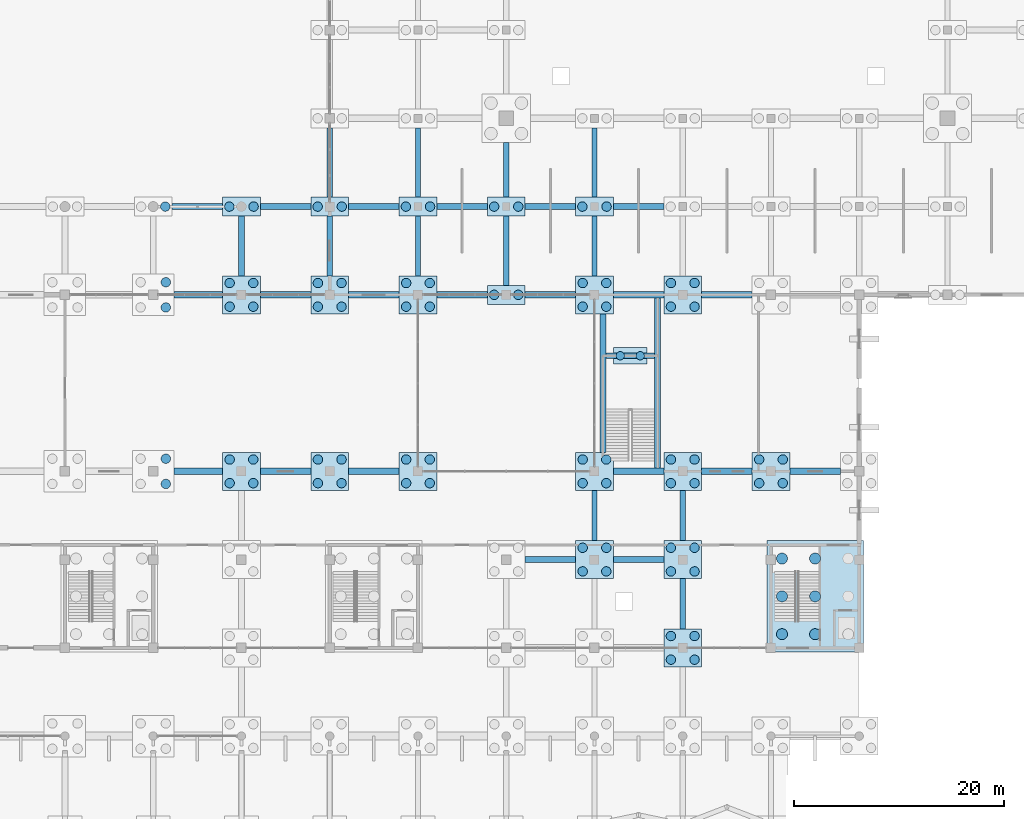
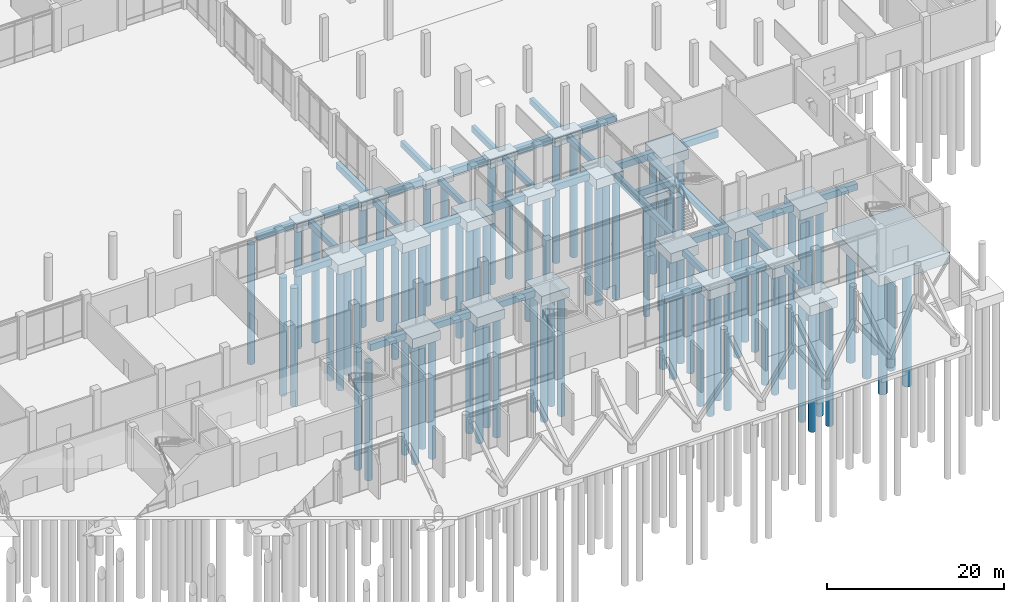
# One storey, part 8 of 72: 81 piles, 58 footings.
"""IFC4 building model written with IfcOpenShell, lengths in metres."""

from ifc_helpers import new_model, si_unit, direction, frame, origin, origin_2d, place, context, subcontext, project, spatial, rectangle, circle, extrude, material, layer, layer_set, material_profile, profile_set, type_object, element, save


model = new_model("IFC4")

# Units and contexts
model_context = context("Model", 3, precision=1e-05, world=origin(), true_north=direction((0.0, 1.0)))
body_context = subcontext(model_context, "Body", "Model", "MODEL_VIEW")
ifc_project = project(units=[si_unit("LENGTHUNIT", "METRE"), si_unit("AREAUNIT", "SQUARE_METRE"), si_unit("VOLUMEUNIT", "CUBIC_METRE"), si_unit("PLANEANGLEUNIT", "RADIAN"), si_unit("MASSUNIT", "GRAM", prefix="KILO")], contexts=[model_context])

# Site, building, storey
site_placement = place(None, origin())
site = spatial("IfcSite", under=ifc_project, at=site_placement, CompositionType="ELEMENT")
building_placement = place(site_placement, origin())
building = spatial("IfcBuilding", under=site, at=building_placement, Name="Qawsi Khor Wholesale Market", CompositionType="ELEMENT")
storey_placement = place(building_placement, origin())
storey = spatial("IfcBuildingStorey", under=building, at=storey_placement, Name="L00", CompositionType="ELEMENT", Elevation=0.0)

# Piles
ifc_material = material(Name="Concrete C45/55", Category="concrete")
ifc_material_profile_1 = material_profile(ifc_material, circle(Radius=0.52490234375, at=origin_2d()), Name="PILE D1050")
ifc_profile_set_1 = profile_set([ifc_material_profile_1], Name="Concrete C45/55")
pile_type_1 = type_object("IfcPileType", Name="Bored Pile D1050 C45/55", PredefinedType="BORED", material=ifc_profile_set_1)
for number, where, z_axis, x_axis, name in (
    (1, (185.85009765625, 9.699951171875, -1.800048828125), (0.0, 0.0, -1.0), (1.0, 0.0, 0.0), "Core bored pile C06-01"),
    (2, (185.85009765625, 13.300048828125, -1.800048828125), (0.0, 0.0, -1.0), (1.0, 0.0, 0.0), "Core bored pile C06-02"),
    (3, (185.85009765625, 16.89990234375, -1.800048828125), (0.0, 0.0, -1.0), (1.0, 0.0, 0.0), "Core bored pile C06-03"),
    (4, (189.0, 9.699951171875, -1.800048828125), (0.0, 0.0, -1.0), (1.0, 0.0, 0.0), "Core bored pile C06-04"),
    (5, (189.0, 13.300048828125, -1.800048828125), (0.0, 0.0, -1.0), (1.0, 0.0, 0.0), "Core bored pile C06-05"),
    (6, (189.0, 16.89990234375, -1.800048828125), (0.0, 0.0, -1.0), (1.0, 0.0, 0.0), "Core bored pile C06-06"),
):
    element("IfcPile", number, at=place(storey_placement, frame(where, z_axis=z_axis, x_axis=x_axis)), inside=storey, type_object=pile_type_1, Name=name, PredefinedType="BORED", context=body_context, shape_type="SweptSolid", body=[
        extrude(circle(Radius=0.52490234375, at=origin_2d()), origin(), (0.0, 0.0, 1.0), 16.199951171875),
    ])
ifc_material_profile_2 = material_profile(ifc_material, circle(Radius=0.39990234375, at=origin_2d()), Name="PILE D800")
ifc_profile_set_2 = profile_set([ifc_material_profile_2], Name="Concrete C45/55")
pile_type_2 = type_object("IfcPileType", Name="Bored Pile D800 C45/55", PredefinedType="BORED", material=ifc_profile_set_2)
for number, where, z_axis, x_axis, name in (
    (7, (170.449951171875, 36.199951171875, -2.18505859375), (0.0, 0.0, -1.0), (1.0, 0.0, 0.0), "Atrium stair bored pile E-1"),
    (8, (172.35009765625, 36.199951171875, -2.18505859375), (0.0, 0.0, -1.0), (1.0, 0.0, 0.0), "Atrium stair bored pile E-2"),
):
    element("IfcPile", number, at=place(storey_placement, frame(where, z_axis=z_axis, x_axis=x_axis)), inside=storey, type_object=pile_type_2, Name=name, PredefinedType="BORED", context=body_context, shape_type="SweptSolid", body=[
        extrude(circle(Radius=0.39990234375, at=origin_2d()), origin(), (0.0, 0.0, 1.0), 15.81494140625),
    ])
ifc_material_profile_3 = material_profile(ifc_material, circle(Radius=0.449951171875, at=origin_2d()), Name="PILE D900")
ifc_profile_set_3 = profile_set([ifc_material_profile_3], Name="Concrete C45/55")
pile_type_3 = type_object("IfcPileType", Name="Bored Pile D900 C45/55", PredefinedType="BORED", material=ifc_profile_set_3)
for number, where, z_axis, x_axis, name in (
    (9, (127.199951171875, 24.0, -1.72998046875), (0.0, 0.0, -1.0), (1.0, 0.0, 0.0), "Bored pile 15_+03-2"),
    (10, (127.199951171875, 26.39990234375, -1.72998046875), (0.0, 0.0, -1.0), (1.0, 0.0, 0.0), "Bored pile 15_+03-4"),
    (11, (127.199951171875, 40.800048828125, -1.72998046875), (0.0, 0.0, -1.0), (1.0, 0.0, 0.0), "Bored pile 15_+05-2"),
    (12, (127.199951171875, 43.199951171875, -1.72998046875), (0.0, 0.0, -1.0), (1.0, 0.0, 0.0), "Bored pile 15_+05-4"),
):
    element("IfcPile", number, at=place(storey_placement, frame(where, z_axis=z_axis, x_axis=x_axis)), inside=storey, type_object=pile_type_3, Name=name, PredefinedType="BORED", context=body_context, shape_type="SweptSolid", body=[
        extrude(circle(Radius=0.449951171875, at=origin_2d()), origin(), (0.0, 0.0, 1.0), 16.27001953125),
    ])
pile_placement = place(storey_placement, frame((127.14990234375, 50.39990234375, -1.5), z_axis=(0.0, 0.0, -1.0), x_axis=(1.0, 0.0, 0.0)))
element("IfcPile", 13, at=pile_placement, inside=storey, type_object=pile_type_3, Name="Bored pile 15_+06-2", PredefinedType="BORED", context=body_context, shape_type="SweptSolid", body=[
    extrude(circle(Radius=0.449951171875, at=origin_2d()), origin(), (0.0, 0.0, 1.0), 16.5),
])
for number, where, z_axis, x_axis, name in (
    (14, (133.27490234375, 24.074951171875, -1.610107421875), (0.0, 0.0, -1.0), (1.0, 0.0, 0.0), "Bored pile 16_+03-1"),
    (15, (135.52490234375, 24.074951171875, -1.610107421875), (0.0, 0.0, -1.0), (1.0, 0.0, 0.0), "Bored pile 16_+03-2"),
    (16, (133.27490234375, 26.324951171875, -1.610107421875), (0.0, 0.0, -1.0), (1.0, 0.0, 0.0), "Bored pile 16_+03-3"),
    (17, (135.52490234375, 26.324951171875, -1.610107421875), (0.0, 0.0, -1.0), (1.0, 0.0, 0.0), "Bored pile 16_+03-4"),
    (18, (133.27490234375, 40.875, -1.610107421875), (0.0, 0.0, -1.0), (1.0, 0.0, 0.0), "Bored pile 16_+05-1"),
    (19, (135.52490234375, 40.875, -1.610107421875), (0.0, 0.0, -1.0), (1.0, 0.0, 0.0), "Bored pile 16_+05-2"),
    (20, (133.27490234375, 43.125, -1.610107421875), (0.0, 0.0, -1.0), (1.0, 0.0, 0.0), "Bored pile 16_+05-3"),
    (21, (135.52490234375, 43.125, -1.610107421875), (0.0, 0.0, -1.0), (1.0, 0.0, 0.0), "Bored pile 16_+05-4"),
):
    element("IfcPile", number, at=place(storey_placement, frame(where, z_axis=z_axis, x_axis=x_axis)), inside=storey, type_object=pile_type_3, Name=name, PredefinedType="BORED", context=body_context, shape_type="SweptSolid", body=[
        extrude(circle(Radius=0.449951171875, at=origin_2d()), origin(), (0.0, 0.0, 1.0), 16.389892578125),
    ])
for number, where, z_axis, x_axis, name in (
    (22, (133.25, 50.39990234375, -1.5), (0.0, 0.0, -1.0), (1.0, 0.0, 0.0), "Bored pile 16_+06-1"),
    (23, (135.550048828125, 50.39990234375, -1.5), (0.0, 0.0, -1.0), (1.0, 0.0, 0.0), "Bored pile 16_+06-2"),
):
    element("IfcPile", number, at=place(storey_placement, frame(where, z_axis=z_axis, x_axis=x_axis)), inside=storey, type_object=pile_type_3, Name=name, PredefinedType="BORED", context=body_context, shape_type="SweptSolid", body=[
        extrude(circle(Radius=0.449951171875, at=origin_2d()), origin(), (0.0, 0.0, 1.0), 16.5),
    ])
for number, where, z_axis, x_axis, name in (
    (24, (141.675048828125, 24.074951171875, -1.610107421875), (0.0, 0.0, -1.0), (1.0, 0.0, 0.0), "Bored pile 17_+03-1"),
    (25, (143.925048828125, 24.074951171875, -1.610107421875), (0.0, 0.0, -1.0), (1.0, 0.0, 0.0), "Bored pile 17_+03-2"),
    (26, (141.675048828125, 26.324951171875, -1.610107421875), (0.0, 0.0, -1.0), (1.0, 0.0, 0.0), "Bored pile 17_+03-3"),
    (27, (143.925048828125, 26.324951171875, -1.610107421875), (0.0, 0.0, -1.0), (1.0, 0.0, 0.0), "Bored pile 17_+03-4"),
    (28, (141.675048828125, 40.875, -1.610107421875), (0.0, 0.0, -1.0), (1.0, 0.0, 0.0), "Bored pile 17_+05-1"),
    (29, (143.925048828125, 40.875, -1.610107421875), (0.0, 0.0, -1.0), (1.0, 0.0, 0.0), "Bored pile 17_+05-2"),
    (30, (141.675048828125, 43.125, -1.610107421875), (0.0, 0.0, -1.0), (1.0, 0.0, 0.0), "Bored pile 17_+05-3"),
    (31, (143.925048828125, 43.125, -1.610107421875), (0.0, 0.0, -1.0), (1.0, 0.0, 0.0), "Bored pile 17_+05-4"),
):
    element("IfcPile", number, at=place(storey_placement, frame(where, z_axis=z_axis, x_axis=x_axis)), inside=storey, type_object=pile_type_3, Name=name, PredefinedType="BORED", context=body_context, shape_type="SweptSolid", body=[
        extrude(circle(Radius=0.449951171875, at=origin_2d()), origin(), (0.0, 0.0, 1.0), 16.389892578125),
    ])
for number, where, z_axis, x_axis, name in (
    (32, (141.64990234375, 50.39990234375, -1.5), (0.0, 0.0, -1.0), (1.0, 0.0, 0.0), "Bored pile 17_+06-1"),
    (33, (143.949951171875, 50.39990234375, -1.5), (0.0, 0.0, -1.0), (1.0, 0.0, 0.0), "Bored pile 17_+06-2"),
):
    element("IfcPile", number, at=place(storey_placement, frame(where, z_axis=z_axis, x_axis=x_axis)), inside=storey, type_object=pile_type_3, Name=name, PredefinedType="BORED", context=body_context, shape_type="SweptSolid", body=[
        extrude(circle(Radius=0.449951171875, at=origin_2d()), origin(), (0.0, 0.0, 1.0), 16.5),
    ])
for number, where, z_axis, x_axis, name in (
    (34, (150.074951171875, 24.074951171875, -1.610107421875), (0.0, 0.0, -1.0), (1.0, 0.0, 0.0), "Bored pile 18_+03-1"),
    (35, (152.324951171875, 24.074951171875, -1.610107421875), (0.0, 0.0, -1.0), (1.0, 0.0, 0.0), "Bored pile 18_+03-2"),
    (36, (150.074951171875, 26.324951171875, -1.610107421875), (0.0, 0.0, -1.0), (1.0, 0.0, 0.0), "Bored pile 18_+03-3"),
    (37, (152.324951171875, 26.324951171875, -1.610107421875), (0.0, 0.0, -1.0), (1.0, 0.0, 0.0), "Bored pile 18_+03-4"),
    (38, (150.074951171875, 40.875, -1.610107421875), (0.0, 0.0, -1.0), (1.0, 0.0, 0.0), "Bored pile 18_+05-1"),
    (39, (152.324951171875, 40.875, -1.610107421875), (0.0, 0.0, -1.0), (1.0, 0.0, 0.0), "Bored pile 18_+05-2"),
    (40, (150.074951171875, 43.125, -1.610107421875), (0.0, 0.0, -1.0), (1.0, 0.0, 0.0), "Bored pile 18_+05-3"),
    (41, (152.324951171875, 43.125, -1.610107421875), (0.0, 0.0, -1.0), (1.0, 0.0, 0.0), "Bored pile 18_+05-4"),
):
    element("IfcPile", number, at=place(storey_placement, frame(where, z_axis=z_axis, x_axis=x_axis)), inside=storey, type_object=pile_type_3, Name=name, PredefinedType="BORED", context=body_context, shape_type="SweptSolid", body=[
        extrude(circle(Radius=0.449951171875, at=origin_2d()), origin(), (0.0, 0.0, 1.0), 16.389892578125),
    ])
for number, where, z_axis, x_axis, name in (
    (42, (150.050048828125, 50.39990234375, -1.5), (0.0, 0.0, -1.0), (1.0, 0.0, 0.0), "Bored pile 18_+06-1"),
    (43, (152.35009765625, 50.39990234375, -1.5), (0.0, 0.0, -1.0), (1.0, 0.0, 0.0), "Bored pile 18_+06-2"),
    (44, (158.449951171875, 42.0, -1.5), (0.0, 0.0, -1.0), (1.0, 0.0, 0.0), "Bored pile 19_+05-1"),
    (45, (160.75, 42.0, -1.5), (0.0, 0.0, -1.0), (1.0, 0.0, 0.0), "Bored pile 19_+05-2"),
    (46, (158.449951171875, 50.39990234375, -1.5), (0.0, 0.0, -1.0), (1.0, 0.0, 0.0), "Bored pile 19_+06-1"),
    (47, (160.75, 50.39990234375, -1.5), (0.0, 0.0, -1.0), (1.0, 0.0, 0.0), "Bored pile 19_+06-2"),
):
    element("IfcPile", number, at=place(storey_placement, frame(where, z_axis=z_axis, x_axis=x_axis)), inside=storey, type_object=pile_type_3, Name=name, PredefinedType="BORED", context=body_context, shape_type="SweptSolid", body=[
        extrude(circle(Radius=0.449951171875, at=origin_2d()), origin(), (0.0, 0.0, 1.0), 16.5),
    ])
for number, where, z_axis, x_axis, name in (
    (48, (166.875, 15.675048828125, -1.610107421875), (0.0, 0.0, -1.0), (1.0, 0.0, 0.0), "Bored pile 20_+02-1"),
    (49, (169.125, 15.675048828125, -1.610107421875), (0.0, 0.0, -1.0), (1.0, 0.0, 0.0), "Bored pile 20_+02-2"),
    (50, (166.875, 17.925048828125, -1.610107421875), (0.0, 0.0, -1.0), (1.0, 0.0, 0.0), "Bored pile 20_+02-3"),
    (51, (169.125, 17.925048828125, -1.610107421875), (0.0, 0.0, -1.0), (1.0, 0.0, 0.0), "Bored pile 20_+02-4"),
    (52, (166.875, 24.074951171875, -1.610107421875), (0.0, 0.0, -1.0), (1.0, 0.0, 0.0), "Bored pile 20_+03-1"),
    (53, (169.125, 24.074951171875, -1.610107421875), (0.0, 0.0, -1.0), (1.0, 0.0, 0.0), "Bored pile 20_+03-2"),
    (54, (166.875, 26.324951171875, -1.610107421875), (0.0, 0.0, -1.0), (1.0, 0.0, 0.0), "Bored pile 20_+03-3"),
    (55, (169.125, 26.324951171875, -1.610107421875), (0.0, 0.0, -1.0), (1.0, 0.0, 0.0), "Bored pile 20_+03-4"),
    (56, (166.875, 40.875, -1.610107421875), (0.0, 0.0, -1.0), (1.0, 0.0, 0.0), "Bored pile 20_+05-1"),
    (57, (169.125, 40.875, -1.610107421875), (0.0, 0.0, -1.0), (1.0, 0.0, 0.0), "Bored pile 20_+05-2"),
    (58, (166.875, 43.125, -1.610107421875), (0.0, 0.0, -1.0), (1.0, 0.0, 0.0), "Bored pile 20_+05-3"),
    (59, (169.125, 43.125, -1.610107421875), (0.0, 0.0, -1.0), (1.0, 0.0, 0.0), "Bored pile 20_+05-4"),
):
    element("IfcPile", number, at=place(storey_placement, frame(where, z_axis=z_axis, x_axis=x_axis)), inside=storey, type_object=pile_type_3, Name=name, PredefinedType="BORED", context=body_context, shape_type="SweptSolid", body=[
        extrude(circle(Radius=0.449951171875, at=origin_2d()), origin(), (0.0, 0.0, 1.0), 16.389892578125),
    ])
for number, where, z_axis, x_axis, name in (
    (60, (166.85009765625, 50.39990234375, -1.5), (0.0, 0.0, -1.0), (1.0, 0.0, 0.0), "Bored pile 20_+06-1"),
    (61, (169.14990234375, 50.39990234375, -1.5), (0.0, 0.0, -1.0), (1.0, 0.0, 0.0), "Bored pile 20_+06-2"),
):
    element("IfcPile", number, at=place(storey_placement, frame(where, z_axis=z_axis, x_axis=x_axis)), inside=storey, type_object=pile_type_3, Name=name, PredefinedType="BORED", context=body_context, shape_type="SweptSolid", body=[
        extrude(circle(Radius=0.449951171875, at=origin_2d()), origin(), (0.0, 0.0, 1.0), 16.5),
    ])
for number, where, z_axis, x_axis, name in (
    (62, (175.27490234375, 7.27490234375, -1.610107421875), (0.0, 0.0, -1.0), (1.0, 0.0, 0.0), "Bored pile 21_+01-1"),
    (63, (177.52490234375, 7.27490234375, -1.610107421875), (0.0, 0.0, -1.0), (1.0, 0.0, 0.0), "Bored pile 21_+01-2"),
    (64, (175.27490234375, 9.52490234375, -1.610107421875), (0.0, 0.0, -1.0), (1.0, 0.0, 0.0), "Bored pile 21_+01-3"),
    (65, (177.52490234375, 9.52490234375, -1.610107421875), (0.0, 0.0, -1.0), (1.0, 0.0, 0.0), "Bored pile 21_+01-4"),
    (66, (175.27490234375, 15.675048828125, -1.610107421875), (0.0, 0.0, -1.0), (1.0, 0.0, 0.0), "Bored pile 21_+02-1"),
    (67, (177.52490234375, 15.675048828125, -1.610107421875), (0.0, 0.0, -1.0), (1.0, 0.0, 0.0), "Bored pile 21_+02-2"),
    (68, (175.27490234375, 17.925048828125, -1.610107421875), (0.0, 0.0, -1.0), (1.0, 0.0, 0.0), "Bored pile 21_+02-3"),
    (69, (177.52490234375, 17.925048828125, -1.610107421875), (0.0, 0.0, -1.0), (1.0, 0.0, 0.0), "Bored pile 21_+02-4"),
    (70, (175.27490234375, 24.074951171875, -1.610107421875), (0.0, 0.0, -1.0), (1.0, 0.0, 0.0), "Bored pile 21_+03-1"),
    (71, (177.52490234375, 24.074951171875, -1.610107421875), (0.0, 0.0, -1.0), (1.0, 0.0, 0.0), "Bored pile 21_+03-2"),
    (72, (175.27490234375, 26.324951171875, -1.610107421875), (0.0, 0.0, -1.0), (1.0, 0.0, 0.0), "Bored pile 21_+03-3"),
    (73, (177.52490234375, 26.324951171875, -1.610107421875), (0.0, 0.0, -1.0), (1.0, 0.0, 0.0), "Bored pile 21_+03-4"),
    (74, (175.27490234375, 40.875, -1.610107421875), (0.0, 0.0, -1.0), (1.0, 0.0, 0.0), "Bored pile 21_+05-1"),
    (75, (177.52490234375, 40.875, -1.610107421875), (0.0, 0.0, -1.0), (1.0, 0.0, 0.0), "Bored pile 21_+05-2"),
    (76, (175.27490234375, 43.125, -1.610107421875), (0.0, 0.0, -1.0), (1.0, 0.0, 0.0), "Bored pile 21_+05-3"),
    (77, (177.52490234375, 43.125, -1.610107421875), (0.0, 0.0, -1.0), (1.0, 0.0, 0.0), "Bored pile 21_+05-4"),
    (78, (183.675048828125, 24.074951171875, -1.610107421875), (0.0, 0.0, -1.0), (1.0, 0.0, 0.0), "Bored pile 22_+03-1"),
    (79, (185.925048828125, 24.074951171875, -1.610107421875), (0.0, 0.0, -1.0), (1.0, 0.0, 0.0), "Bored pile 22_+03-2"),
    (80, (183.675048828125, 26.324951171875, -1.610107421875), (0.0, 0.0, -1.0), (1.0, 0.0, 0.0), "Bored pile 22_+03-3"),
    (81, (185.925048828125, 26.324951171875, -1.610107421875), (0.0, 0.0, -1.0), (1.0, 0.0, 0.0), "Bored pile 22_+03-4"),
):
    element("IfcPile", number, at=place(storey_placement, frame(where, z_axis=z_axis, x_axis=x_axis)), inside=storey, type_object=pile_type_3, Name=name, PredefinedType="BORED", context=body_context, shape_type="SweptSolid", body=[
        extrude(circle(Radius=0.449951171875, at=origin_2d()), origin(), (0.0, 0.0, 1.0), 16.389892578125),
    ])

# Footings
ifc_layer_1 = layer(ifc_material, 1.52001953125, Name="Concrete C45/55")
ifc_layer_set_1 = layer_set([ifc_layer_1], Name="Concrete C45/55")
footing_type_1 = type_object("IfcFootingType", Name="Core Pile Raft CR-9P 9200x10600x1520", PredefinedType="PILE_CAP", material=ifc_layer_set_1)
footing_1_placement = place(storey_placement, frame((189.0, 13.300048828125, -1.880126953125), z_axis=(0.0, 0.0, 1.0), x_axis=(1.0, 0.0, 0.0)))
element("IfcFooting", 82, at=footing_1_placement, inside=storey, type_object=footing_type_1, Name="Core pile raft C06", PredefinedType="PILE_CAP", context=body_context, shape_type="SweptSolid", body=[
    extrude(rectangle(XDim=9.199951171875, YDim=10.60009765625, at=origin_2d()), origin(), (0.0, 0.0, 1.0), 1.52001953125),
])
ifc_material_profile_4 = material_profile(ifc_material, rectangle(XDim=0.60009765625, YDim=0.89990234375, at=origin_2d()), Name="RC 600x900")
ifc_profile_set_4 = profile_set([ifc_material_profile_4], Name="Concrete C45/55")
footing_type_2 = type_object("IfcFootingType", Name="Ground Tie-Beam GTB 600x900", PredefinedType="FOOTING_BEAM", material=ifc_profile_set_4)
for number, where, z_axis, x_axis, name in (
    (83, (127.97509765625, 25.199951171875, -0.840087890625), (1.0, 0.0, 0.0), (0.0, 1.0, 0.0), "Ground tie-beam X 15-16 at Y=25.2"),
    (84, (127.97509765625, 42.0, -0.840087890625), (1.0, 0.0, 0.0), (0.0, 1.0, 0.0), "Ground tie-beam X 15-16 at Y=42.0"),
):
    element("IfcFooting", number, at=place(storey_placement, frame(where, z_axis=z_axis, x_axis=x_axis)), inside=storey, type_object=footing_type_2, Name=name, PredefinedType="FOOTING_BEAM", context=body_context, shape_type="SweptSolid", body=[
        extrude(rectangle(XDim=0.60009765625, YDim=0.89990234375, at=origin_2d()), origin(), (0.0, 0.0, 1.0), 4.625),
    ])
for number, where, z_axis, x_axis, name in (
    (85, (127.800048828125, 50.39990234375, -0.840087890625), (1.0, 0.0, 0.0), (0.0, 1.0, 0.0), "Ground tie-beam X 15-16 at Y=50.4"),
    (86, (136.199951171875, 25.199951171875, -0.840087890625), (1.0, 0.0, 0.0), (0.0, 1.0, 0.0), "Ground tie-beam X 16-17 at Y=25.2"),
    (87, (136.199951171875, 42.0, -0.840087890625), (1.0, 0.0, 0.0), (0.0, 1.0, 0.0), "Ground tie-beam X 16-17 at Y=42.0"),
    (88, (136.199951171875, 50.39990234375, -0.840087890625), (1.0, 0.0, 0.0), (0.0, 1.0, 0.0), "Ground tie-beam X 16-17 at Y=50.4"),
):
    element("IfcFooting", number, at=place(storey_placement, frame(where, z_axis=z_axis, x_axis=x_axis)), inside=storey, type_object=footing_type_2, Name=name, PredefinedType="FOOTING_BEAM", context=body_context, shape_type="SweptSolid", body=[
        extrude(rectangle(XDim=0.60009765625, YDim=0.89990234375, at=origin_2d()), origin(), (0.0, 0.0, 1.0), 4.800048828125),
    ])
for number, where, z_axis, x_axis, name in (
    (89, (144.60009765625, 25.199951171875, -0.840087890625), (1.0, 0.0, 0.0), (0.0, 1.0, 0.0), "Ground tie-beam X 17-18 at Y=25.2"),
    (90, (144.60009765625, 42.0, -0.840087890625), (1.0, 0.0, 0.0), (0.0, 1.0, 0.0), "Ground tie-beam X 17-18 at Y=42.0"),
    (91, (144.60009765625, 50.39990234375, -0.840087890625), (1.0, 0.0, 0.0), (0.0, 1.0, 0.0), "Ground tie-beam X 17-18 at Y=50.4"),
):
    element("IfcFooting", number, at=place(storey_placement, frame(where, z_axis=z_axis, x_axis=x_axis)), inside=storey, type_object=footing_type_2, Name=name, PredefinedType="FOOTING_BEAM", context=body_context, shape_type="SweptSolid", body=[
        extrude(rectangle(XDim=0.60009765625, YDim=0.89990234375, at=origin_2d()), origin(), (0.0, 0.0, 1.0), 4.7998046875),
    ])
for number, where, z_axis, x_axis, name in (
    (92, (153.0, 42.0, -0.840087890625), (1.0, 0.0, 0.0), (0.0, 1.0, 0.0), "Ground tie-beam X 18-19 at Y=42.0"),
    (93, (153.0, 50.39990234375, -0.840087890625), (1.0, 0.0, 0.0), (0.0, 1.0, 0.0), "Ground tie-beam X 18-19 at Y=50.4"),
    (94, (161.39990234375, 16.800048828125, -0.840087890625), (1.0, 0.0, 0.0), (0.0, 1.0, 0.0), "Ground tie-beam X 19-20 at Y=16.8"),
    (95, (161.39990234375, 42.0, -0.840087890625), (1.0, 0.0, 0.0), (0.0, 1.0, 0.0), "Ground tie-beam X 19-20 at Y=42.0"),
    (96, (161.39990234375, 50.39990234375, -0.840087890625), (1.0, 0.0, 0.0), (0.0, 1.0, 0.0), "Ground tie-beam X 19-20 at Y=50.4"),
    (97, (169.800048828125, 16.800048828125, -0.840087890625), (1.0, 0.0, 0.0), (0.0, 1.0, 0.0), "Ground tie-beam X 20-21 at Y=16.8"),
    (98, (169.800048828125, 25.199951171875, -0.840087890625), (1.0, 0.0, 0.0), (0.0, 1.0, 0.0), "Ground tie-beam X 20-21 at Y=25.2"),
    (99, (169.800048828125, 42.0, -0.840087890625), (1.0, 0.0, 0.0), (0.0, 1.0, 0.0), "Ground tie-beam X 20-21 at Y=42.0"),
    (100, (169.800048828125, 50.39990234375, -0.840087890625), (1.0, 0.0, 0.0), (0.0, 1.0, 0.0), "Ground tie-beam X 20-21 at Y=50.4"),
    (101, (178.199951171875, 25.199951171875, -0.840087890625), (1.0, 0.0, 0.0), (0.0, 1.0, 0.0), "Ground tie-beam X 21-22 at Y=25.2"),
    (102, (178.199951171875, 42.0, -0.840087890625), (1.0, 0.0, 0.0), (0.0, 1.0, 0.0), "Ground tie-beam X 21-22 at Y=42.0"),
):
    element("IfcFooting", number, at=place(storey_placement, frame(where, z_axis=z_axis, x_axis=x_axis)), inside=storey, type_object=footing_type_2, Name=name, PredefinedType="FOOTING_BEAM", context=body_context, shape_type="SweptSolid", body=[
        extrude(rectangle(XDim=0.60009765625, YDim=0.89990234375, at=origin_2d()), origin(), (0.0, 0.0, 1.0), 4.800048828125),
    ])
footing_2_placement = place(storey_placement, frame((186.60009765625, 25.199951171875, -0.840087890625), z_axis=(1.0, 0.0, 0.0), x_axis=(0.0, 1.0, 0.0)))
element("IfcFooting", 103, at=footing_2_placement, inside=storey, type_object=footing_type_2, Name="Ground tie-beam X 22-23 at Y=25.2", PredefinedType="FOOTING_BEAM", context=body_context, shape_type="SweptSolid", body=[
    extrude(rectangle(XDim=0.60009765625, YDim=0.89990234375, at=origin_2d()), origin(), (0.0, 0.0, 1.0), 4.7998046875),
])
ifc_material_profile_5 = material_profile(ifc_material, rectangle(XDim=0.5, YDim=0.800048828125, at=origin_2d()), Name="RC 500x800")
ifc_profile_set_5 = profile_set([ifc_material_profile_5], Name="Concrete C45/55")
footing_type_3 = type_object("IfcFootingType", Name="Hall Tie-Beam GTB 500x800", PredefinedType="FOOTING_BEAM", material=ifc_profile_set_5)
footing_3_placement = place(storey_placement, frame((151.199951171875, 43.800048828125, -0.7900390625), z_axis=(0.0, 1.0, 0.0), x_axis=(-1.0, 0.0, 0.0)))
element("IfcFooting", 104, at=footing_3_placement, inside=storey, type_object=footing_type_3, Name="Ground tie-beam Y 5-6 at X=151.2", PredefinedType="FOOTING_BEAM", context=body_context, shape_type="SweptSolid", body=[
    extrude(rectangle(XDim=0.5, YDim=0.800048828125, at=origin_2d()), origin(), (0.0, 0.0, 1.0), 5.699951171875),
])
footing_4_placement = place(storey_placement, frame((151.199951171875, 51.300048828125, -0.7900390625), z_axis=(0.0, 1.0, 0.0), x_axis=(-1.0, 0.0, 0.0)))
element("IfcFooting", 105, at=footing_4_placement, inside=storey, type_object=footing_type_3, Name="Ground tie-beam Y 6-7 at X=151.2", PredefinedType="FOOTING_BEAM", context=body_context, shape_type="SweptSolid", body=[
    extrude(rectangle(XDim=0.5, YDim=0.800048828125, at=origin_2d()), origin(), (0.0, 0.0, 1.0), 6.599853515625),
])
footing_5_placement = place(storey_placement, frame((159.60009765625, 42.89990234375, -0.7900390625), z_axis=(0.0, 1.0, 0.0), x_axis=(-1.0, 0.0, 0.0)))
element("IfcFooting", 106, at=footing_5_placement, inside=storey, type_object=footing_type_3, Name="Ground tie-beam Y 5-6 at X=159.6", PredefinedType="FOOTING_BEAM", context=body_context, shape_type="SweptSolid", body=[
    extrude(rectangle(XDim=0.5, YDim=0.800048828125, at=origin_2d()), origin(), (0.0, 0.0, 1.0), 6.60009765625),
])
footing_6_placement = place(storey_placement, frame((159.60009765625, 51.300048828125, -0.7900390625), z_axis=(0.0, 1.0, 0.0), x_axis=(-1.0, 0.0, 0.0)))
element("IfcFooting", 107, at=footing_6_placement, inside=storey, type_object=footing_type_3, Name="Ground tie-beam Y 6-7 at X=159.6", PredefinedType="FOOTING_BEAM", context=body_context, shape_type="SweptSolid", body=[
    extrude(rectangle(XDim=0.5, YDim=0.800048828125, at=origin_2d()), origin(), (0.0, 0.0, 1.0), 5.199951171875),
])
footing_7_placement = place(storey_placement, frame((168.0, 18.60009765625, -0.7900390625), z_axis=(0.0, 1.0, 0.0), x_axis=(-1.0, 0.0, 0.0)))
element("IfcFooting", 108, at=footing_7_placement, inside=storey, type_object=footing_type_3, Name="Ground tie-beam Y 2-3 at X=168.0", PredefinedType="FOOTING_BEAM", context=body_context, shape_type="SweptSolid", body=[
    extrude(rectangle(XDim=0.5, YDim=0.800048828125, at=origin_2d()), origin(), (0.0, 0.0, 1.0), 4.7998046875),
])
footing_8_placement = place(storey_placement, frame((168.0, 43.800048828125, -0.7900390625), z_axis=(0.0, 1.0, 0.0), x_axis=(-1.0, 0.0, 0.0)))
element("IfcFooting", 109, at=footing_8_placement, inside=storey, type_object=footing_type_3, Name="Ground tie-beam Y 5-6 at X=168.0", PredefinedType="FOOTING_BEAM", context=body_context, shape_type="SweptSolid", body=[
    extrude(rectangle(XDim=0.5, YDim=0.800048828125, at=origin_2d()), origin(), (0.0, 0.0, 1.0), 5.699951171875),
])
footing_9_placement = place(storey_placement, frame((168.0, 51.300048828125, -0.7900390625), z_axis=(0.0, 1.0, 0.0), x_axis=(-1.0, 0.0, 0.0)))
element("IfcFooting", 110, at=footing_9_placement, inside=storey, type_object=footing_type_3, Name="Ground tie-beam Y 6-7 at X=168.0", PredefinedType="FOOTING_BEAM", context=body_context, shape_type="SweptSolid", body=[
    extrude(rectangle(XDim=0.5, YDim=0.800048828125, at=origin_2d()), origin(), (0.0, 0.0, 1.0), 6.599853515625),
])
footing_10_placement = place(storey_placement, frame((176.39990234375, 10.199951171875, -0.7900390625), z_axis=(0.0, 1.0, 0.0), x_axis=(-1.0, 0.0, 0.0)))
element("IfcFooting", 111, at=footing_10_placement, inside=storey, type_object=footing_type_3, Name="Ground tie-beam Y 1-2 at X=176.4", PredefinedType="FOOTING_BEAM", context=body_context, shape_type="SweptSolid", body=[
    extrude(rectangle(XDim=0.5, YDim=0.800048828125, at=origin_2d()), origin(), (0.0, 0.0, 1.0), 4.800048828125),
])
footing_11_placement = place(storey_placement, frame((176.39990234375, 18.60009765625, -0.7900390625), z_axis=(0.0, 1.0, 0.0), x_axis=(-1.0, 0.0, 0.0)))
element("IfcFooting", 112, at=footing_11_placement, inside=storey, type_object=footing_type_3, Name="Ground tie-beam Y 2-3 at X=176.4", PredefinedType="FOOTING_BEAM", context=body_context, shape_type="SweptSolid", body=[
    extrude(rectangle(XDim=0.5, YDim=0.800048828125, at=origin_2d()), origin(), (0.0, 0.0, 1.0), 4.7998046875),
])
ifc_material_profile_6 = material_profile(ifc_material, rectangle(XDim=0.550048828125, YDim=0.85009765625, at=origin_2d()), Name="RC 550x850")
ifc_profile_set_6 = profile_set([ifc_material_profile_6], Name="Concrete C45/55")
footing_type_4 = type_object("IfcFootingType", Name="Internal Tie-Beam GTB 550x850", PredefinedType="FOOTING_BEAM", material=ifc_profile_set_6)
for number, where, z_axis, x_axis, name in (
    (113, (134.39990234375, 43.800048828125, -0.81494140625), (0.0, 1.0, 0.0), (-1.0, 0.0, 0.0), "Ground tie-beam Y 5-6 at X=134.4"),
    (114, (142.800048828125, 43.800048828125, -0.81494140625), (0.0, 1.0, 0.0), (-1.0, 0.0, 0.0), "Ground tie-beam Y 5-6 at X=142.8"),
):
    element("IfcFooting", number, at=place(storey_placement, frame(where, z_axis=z_axis, x_axis=x_axis)), inside=storey, type_object=footing_type_4, Name=name, PredefinedType="FOOTING_BEAM", context=body_context, shape_type="SweptSolid", body=[
        extrude(rectangle(XDim=0.550048828125, YDim=0.85009765625, at=origin_2d()), origin(), (0.0, 0.0, 1.0), 5.699951171875),
    ])
footing_12_placement = place(storey_placement, frame((142.800048828125, 51.300048828125, -0.81494140625), z_axis=(0.0, 1.0, 0.0), x_axis=(-1.0, 0.0, 0.0)))
element("IfcFooting", 115, at=footing_12_placement, inside=storey, type_object=footing_type_4, Name="Ground tie-beam Y 6-7 at X=142.8", PredefinedType="FOOTING_BEAM", context=body_context, shape_type="SweptSolid", body=[
    extrude(rectangle(XDim=0.550048828125, YDim=0.85009765625, at=origin_2d()), origin(), (0.0, 0.0, 1.0), 6.599853515625),
])
footing_13_placement = place(storey_placement, frame((168.800048828125, 27.0048828125, -0.81494140625), z_axis=(0.0, 1.0, 0.0), x_axis=(-1.0, 0.0, 0.0)))
element("IfcFooting", 116, at=footing_13_placement, inside=storey, type_object=footing_type_4, Name="Atrium stair strip footing E-W", PredefinedType="FOOTING_BEAM", context=body_context, shape_type="SweptSolid", body=[
    extrude(rectangle(XDim=0.550048828125, YDim=0.85009765625, at=origin_2d()), origin(), (0.0, 0.0, 1.0), 13.190185546875),
])
footing_14_placement = place(storey_placement, frame((169.080078125, 36.199951171875, -0.81494140625), z_axis=(1.0, 0.0, 0.0), x_axis=(0.0, 1.0, 0.0)))
element("IfcFooting", 117, at=footing_14_placement, inside=storey, type_object=footing_type_4, Name="Atrium stair strip footing E-N", PredefinedType="FOOTING_BEAM", context=body_context, shape_type="SweptSolid", body=[
    extrude(rectangle(XDim=0.550048828125, YDim=0.85009765625, at=origin_2d()), origin(), (0.0, 0.0, 1.0), 4.639892578125),
])
footing_15_placement = place(storey_placement, frame((174.0, 25.5048828125, -0.81494140625), z_axis=(0.0, 1.0, 0.0), x_axis=(-1.0, 0.0, 0.0)))
element("IfcFooting", 118, at=footing_15_placement, inside=storey, type_object=footing_type_4, Name="Atrium stair strip footing E-E", PredefinedType="FOOTING_BEAM", context=body_context, shape_type="SweptSolid", body=[
    extrude(rectangle(XDim=0.550048828125, YDim=0.85009765625, at=origin_2d()), origin(), (0.0, 0.0, 1.0), 16.190185546875),
])
ifc_layer_2 = layer(ifc_material, 1.0, Name="Concrete C45/55")
ifc_layer_set_2 = layer_set([ifc_layer_2], Name="Concrete C45/55")
footing_type_5 = type_object("IfcFootingType", Name="Pile Cap PC-2C 3200x1600x1000", PredefinedType="PILE_CAP", material=ifc_layer_set_2)
footing_16_placement = place(storey_placement, frame((171.39990234375, 36.199951171875, -2.2451171875), z_axis=(0.0, 0.0, 1.0), x_axis=(1.0, 0.0, 0.0)))
element("IfcFooting", 119, at=footing_16_placement, inside=storey, type_object=footing_type_5, Name="Atrium stair pile cap E", PredefinedType="PILE_CAP", context=body_context, shape_type="SweptSolid", body=[
    extrude(rectangle(XDim=3.199951171875, YDim=1.60009765625, at=origin_2d()), origin(), (0.0, 0.0, 1.0), 1.0),
])
ifc_layer_3 = layer(ifc_material, 1.14990234375, Name="Concrete C45/55")
ifc_layer_set_3 = layer_set([ifc_layer_3], Name="Concrete C45/55")
footing_type_6 = type_object("IfcFootingType", Name="Pile Cap PC-2P 3600x1800x1150", PredefinedType="PILE_CAP", material=ifc_layer_set_3)
for number, where, z_axis, x_axis, name in (
    (120, (134.39990234375, 50.39990234375, -1.510009765625), (0.0, 0.0, 1.0), (1.0, 0.0, 0.0), "Two-pile cap 16_+06"),
    (121, (142.800048828125, 50.39990234375, -1.510009765625), (0.0, 0.0, 1.0), (1.0, 0.0, 0.0), "Two-pile cap 17_+06"),
    (122, (151.199951171875, 50.39990234375, -1.510009765625), (0.0, 0.0, 1.0), (1.0, 0.0, 0.0), "Two-pile cap 18_+06"),
    (123, (159.60009765625, 42.0, -1.510009765625), (0.0, 0.0, 1.0), (1.0, 0.0, 0.0), "Two-pile cap 19_+05"),
    (124, (159.60009765625, 50.39990234375, -1.510009765625), (0.0, 0.0, 1.0), (1.0, 0.0, 0.0), "Two-pile cap 19_+06"),
    (125, (168.0, 50.39990234375, -1.510009765625), (0.0, 0.0, 1.0), (1.0, 0.0, 0.0), "Two-pile cap 20_+06"),
):
    element("IfcFooting", number, at=place(storey_placement, frame(where, z_axis=z_axis, x_axis=x_axis)), inside=storey, type_object=footing_type_6, Name=name, PredefinedType="PILE_CAP", context=body_context, shape_type="SweptSolid", body=[
        extrude(rectangle(XDim=3.60009765625, YDim=1.800048828125, at=origin_2d()), origin(), (0.0, 0.0, 1.0), 1.14990234375),
    ])
ifc_layer_4 = layer(ifc_material, 1.320068359375, Name="Concrete C45/55")
ifc_layer_set_4 = layer_set([ifc_layer_4], Name="Concrete C45/55")
footing_type_7 = type_object("IfcFootingType", Name="Pile Cap PC-4P 3600x3600x1320", PredefinedType="PILE_CAP", material=ifc_layer_set_4)
for number, where, z_axis, x_axis, name in (
    (126, (134.39990234375, 25.199951171875, -1.68017578125), (0.0, 0.0, 1.0), (1.0, 0.0, 0.0), "Four-pile cap 16_+03"),
    (127, (134.39990234375, 42.0, -1.68017578125), (0.0, 0.0, 1.0), (1.0, 0.0, 0.0), "Four-pile cap 16_+05"),
    (128, (142.800048828125, 25.199951171875, -1.68017578125), (0.0, 0.0, 1.0), (1.0, 0.0, 0.0), "Four-pile cap 17_+03"),
    (129, (142.800048828125, 42.0, -1.68017578125), (0.0, 0.0, 1.0), (1.0, 0.0, 0.0), "Four-pile cap 17_+05"),
    (130, (151.199951171875, 25.199951171875, -1.68017578125), (0.0, 0.0, 1.0), (1.0, 0.0, 0.0), "Four-pile cap 18_+03"),
    (131, (151.199951171875, 42.0, -1.68017578125), (0.0, 0.0, 1.0), (1.0, 0.0, 0.0), "Four-pile cap 18_+05"),
    (132, (168.0, 16.800048828125, -1.68017578125), (0.0, 0.0, 1.0), (1.0, 0.0, 0.0), "Four-pile cap 20_+02"),
    (133, (168.0, 25.199951171875, -1.68017578125), (0.0, 0.0, 1.0), (1.0, 0.0, 0.0), "Four-pile cap 20_+03"),
    (134, (168.0, 42.0, -1.68017578125), (0.0, 0.0, 1.0), (1.0, 0.0, 0.0), "Four-pile cap 20_+05"),
    (135, (176.39990234375, 8.39990234375, -1.68017578125), (0.0, 0.0, 1.0), (1.0, 0.0, 0.0), "Four-pile cap 21_+01"),
    (136, (176.39990234375, 16.800048828125, -1.68017578125), (0.0, 0.0, 1.0), (1.0, 0.0, 0.0), "Four-pile cap 21_+02"),
    (137, (176.39990234375, 25.199951171875, -1.68017578125), (0.0, 0.0, 1.0), (1.0, 0.0, 0.0), "Four-pile cap 21_+03"),
    (138, (176.39990234375, 42.0, -1.68017578125), (0.0, 0.0, 1.0), (1.0, 0.0, 0.0), "Four-pile cap 21_+05"),
    (139, (184.800048828125, 25.199951171875, -1.68017578125), (0.0, 0.0, 1.0), (1.0, 0.0, 0.0), "Four-pile cap 22_+03"),
):
    element("IfcFooting", number, at=place(storey_placement, frame(where, z_axis=z_axis, x_axis=x_axis)), inside=storey, type_object=footing_type_7, Name=name, PredefinedType="PILE_CAP", context=body_context, shape_type="SweptSolid", body=[
        extrude(rectangle(XDim=3.60009765625, YDim=3.60009765625, at=origin_2d()), origin(), (0.0, 0.0, 1.0), 1.320068359375),
    ])

save(model, "model.ifc")
